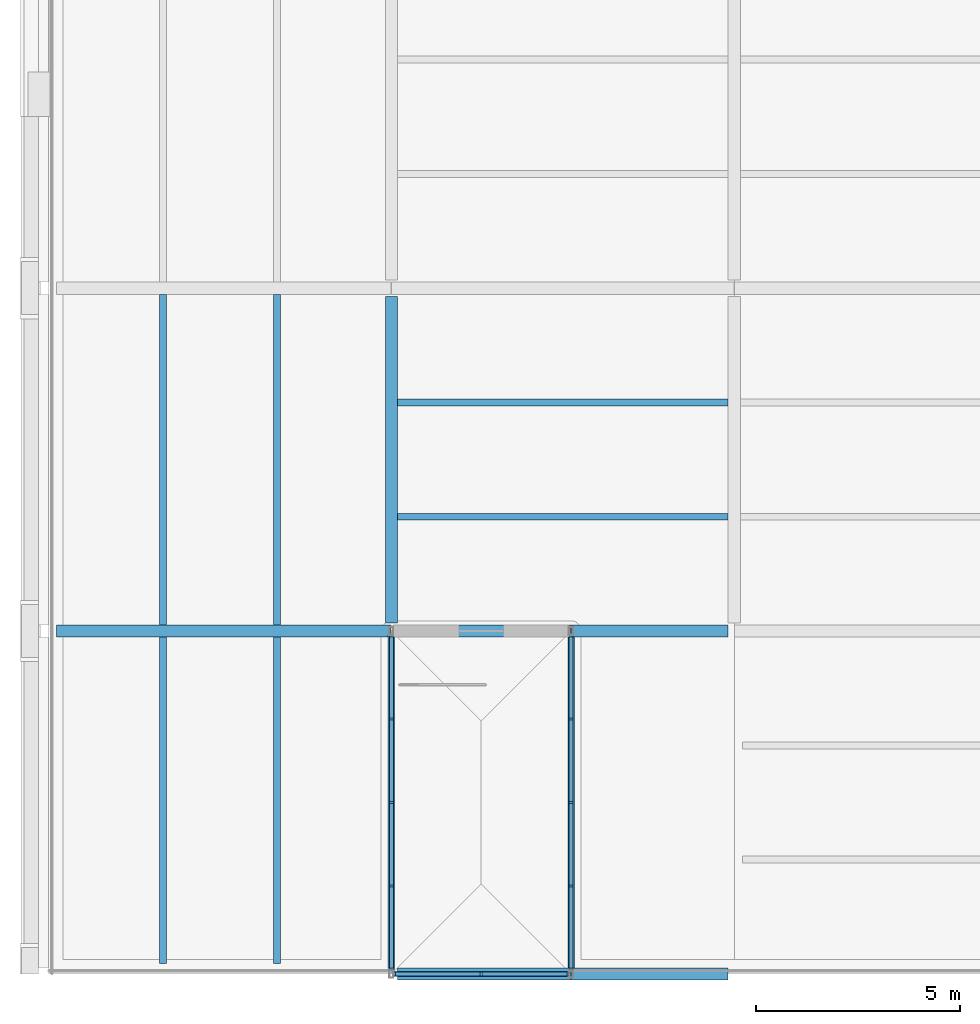
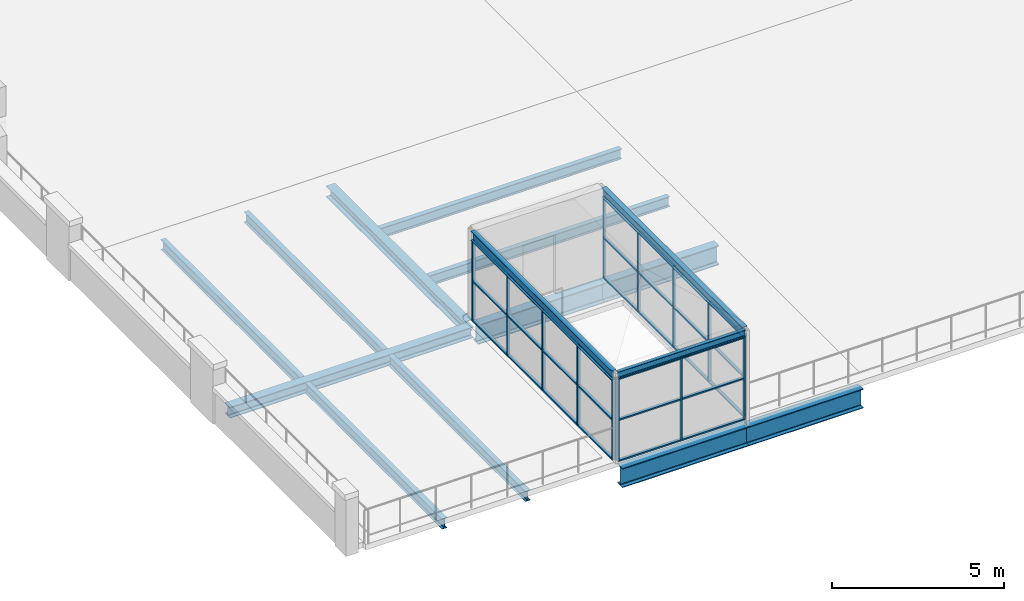
# One storey, part 11 of 58: 43 members, 15 beams, 3 elements without a shape of their own.
"""IFC4 building model written with IfcOpenShell, lengths in metres."""

from ifc_helpers import new_model, si_unit, direction, frame, origin, origin_2d, place, context, subcontext, project, spatial, rectangle, i_section, extrude, material, layer, layer_set, material_profile, profile_set, type_object, element, aggregate, save


model = new_model("IFC4")

# Units and contexts
model_context = context("Model", 3, precision=1e-05, world=origin(), true_north=direction((0.0, 1.0)))
body_context = subcontext(model_context, "Body", "Model", "MODEL_VIEW")
ifc_project = project(units=[si_unit("LENGTHUNIT", "METRE"), si_unit("AREAUNIT", "SQUARE_METRE"), si_unit("VOLUMEUNIT", "CUBIC_METRE"), si_unit("PLANEANGLEUNIT", "RADIAN"), si_unit("MASSUNIT", "GRAM", prefix="KILO")], contexts=[model_context])

# Site, building, storey
site_placement = place(None, origin())
site = spatial("IfcSite", under=ifc_project, at=site_placement, CompositionType="ELEMENT")
building_placement = place(site_placement, origin())
building = spatial("IfcBuilding", under=site, at=building_placement, Name="Galleria Vessillo Department Store", CompositionType="ELEMENT")
storey_placement = place(building_placement, frame((0.0, 0.0, 31.199951171875)))
storey = spatial("IfcBuildingStorey", under=building, at=storey_placement, Name="L06", CompositionType="ELEMENT", Elevation=31.199951171875)

# Curtain wall, members
ifc_material_1 = material(Name="Aluminium and glass curtain wall", Category="aluminium")
ifc_layer = layer(ifc_material_1, 0.10009765625)
ifc_layer_set = layer_set([ifc_layer], Name="Aluminium and glass curtain wall")
curtain_wall_type = type_object("IfcCurtainWallType", Name="Pavilion curtain wall CW5 2100 module", PredefinedType="NOTDEFINED", material=ifc_layer_set)
curtain_wall_1_placement = place(storey_placement, origin())
curtain_wall_1 = element("IfcCurtainWall", 1, at=curtain_wall_1_placement, inside=storey, type_object=curtain_wall_type, Name="Pavilion curtain wall CW5 2100 module PV-ST1-A", PredefinedType="NOTDEFINED")
ifc_material_2 = material(Name="Aluminium alloy 6063 T6", Category="aluminium")
ifc_material_profile_1 = material_profile(ifc_material_2, rectangle(XDim=0.10009765625, YDim=0.050048828125, at=origin_2d()), Name="AL 50x100")
ifc_profile_set_1 = profile_set([ifc_material_profile_1], Name="Aluminium alloy 6063 T6")
member_type_1 = type_object("IfcMemberType", Name="Aluminium mullion 50 x 100", PredefinedType="MULLION", material=ifc_profile_set_1)
member_1_placement = place(storey_placement, frame((8.39990234375, 0.125, 0.0), z_axis=(0.0, 0.0, 1.0), x_axis=(-1.0, 0.0, 0.0)))
member_1 = element("IfcMember", 2, at=member_1_placement, type_object=member_type_1, Name="CW5 mullion 1", PredefinedType="MULLION", context=body_context, shape_type="SweptSolid", body=[
    extrude(rectangle(XDim=0.10009765625, YDim=0.050048828125, at=origin_2d()), origin(), (0.0, 0.0, 1.0), 2.8701171875),
])
member_2_placement = place(storey_placement, frame((8.39990234375, 2.14990234375, 0.0), z_axis=(0.0, 0.0, 1.0), x_axis=(-1.0, 0.0, 0.0)))
member_2 = element("IfcMember", 3, at=member_2_placement, type_object=member_type_1, Name="CW5 mullion 2", PredefinedType="MULLION", context=body_context, shape_type="SweptSolid", body=[
    extrude(rectangle(XDim=0.10009765625, YDim=0.050048828125, at=origin_2d()), origin(), (0.0, 0.0, 1.0), 2.8701171875),
])
member_3_placement = place(storey_placement, frame((8.39990234375, 4.199951171875, 0.0), z_axis=(0.0, 0.0, 1.0), x_axis=(-1.0, 0.0, 0.0)))
member_3 = element("IfcMember", 4, at=member_3_placement, type_object=member_type_1, Name="CW5 mullion 3", PredefinedType="MULLION", context=body_context, shape_type="SweptSolid", body=[
    extrude(rectangle(XDim=0.10009765625, YDim=0.050048828125, at=origin_2d()), origin(), (0.0, 0.0, 1.0), 2.8701171875),
])
member_4_placement = place(storey_placement, frame((8.39990234375, 6.25, 0.0), z_axis=(0.0, 0.0, 1.0), x_axis=(-1.0, 0.0, 0.0)))
member_4 = element("IfcMember", 5, at=member_4_placement, type_object=member_type_1, Name="CW5 mullion 4", PredefinedType="MULLION", context=body_context, shape_type="SweptSolid", body=[
    extrude(rectangle(XDim=0.10009765625, YDim=0.050048828125, at=origin_2d()), origin(), (0.0, 0.0, 1.0), 2.8701171875),
])
member_5_placement = place(storey_placement, frame((8.39990234375, 8.27490234375, 0.0), z_axis=(0.0, 0.0, 1.0), x_axis=(-1.0, 0.0, 0.0)))
member_5 = element("IfcMember", 6, at=member_5_placement, type_object=member_type_1, Name="CW5 mullion 5", PredefinedType="MULLION", context=body_context, shape_type="SweptSolid", body=[
    extrude(rectangle(XDim=0.10009765625, YDim=0.050048828125, at=origin_2d()), origin(), (0.0, 0.0, 1.0), 2.8701171875),
])

curtain_wall_2_placement = place(storey_placement, origin())
curtain_wall_2 = element("IfcCurtainWall", 7, at=curtain_wall_2_placement, inside=storey, type_object=curtain_wall_type, Name="Pavilion curtain wall CW5 2100 module PV-ST1-B", PredefinedType="NOTDEFINED")
member_6_placement = place(storey_placement, frame((12.800048828125, 0.125, 0.0), z_axis=(0.0, 0.0, 1.0), x_axis=(-1.0, 0.0, 0.0)))
member_6 = element("IfcMember", 8, at=member_6_placement, type_object=member_type_1, Name="CW5 mullion 1", PredefinedType="MULLION", context=body_context, shape_type="SweptSolid", body=[
    extrude(rectangle(XDim=0.10009765625, YDim=0.050048828125, at=origin_2d()), origin(), (0.0, 0.0, 1.0), 2.8701171875),
])
member_7_placement = place(storey_placement, frame((12.800048828125, 2.14990234375, 0.0), z_axis=(0.0, 0.0, 1.0), x_axis=(-1.0, 0.0, 0.0)))
member_7 = element("IfcMember", 9, at=member_7_placement, type_object=member_type_1, Name="CW5 mullion 2", PredefinedType="MULLION", context=body_context, shape_type="SweptSolid", body=[
    extrude(rectangle(XDim=0.10009765625, YDim=0.050048828125, at=origin_2d()), origin(), (0.0, 0.0, 1.0), 2.8701171875),
])
member_8_placement = place(storey_placement, frame((12.800048828125, 4.199951171875, 0.0), z_axis=(0.0, 0.0, 1.0), x_axis=(-1.0, 0.0, 0.0)))
member_8 = element("IfcMember", 10, at=member_8_placement, type_object=member_type_1, Name="CW5 mullion 3", PredefinedType="MULLION", context=body_context, shape_type="SweptSolid", body=[
    extrude(rectangle(XDim=0.10009765625, YDim=0.050048828125, at=origin_2d()), origin(), (0.0, 0.0, 1.0), 2.8701171875),
])
member_9_placement = place(storey_placement, frame((12.800048828125, 6.25, 0.0), z_axis=(0.0, 0.0, 1.0), x_axis=(-1.0, 0.0, 0.0)))
member_9 = element("IfcMember", 11, at=member_9_placement, type_object=member_type_1, Name="CW5 mullion 4", PredefinedType="MULLION", context=body_context, shape_type="SweptSolid", body=[
    extrude(rectangle(XDim=0.10009765625, YDim=0.050048828125, at=origin_2d()), origin(), (0.0, 0.0, 1.0), 2.8701171875),
])
member_10_placement = place(storey_placement, frame((12.800048828125, 8.27490234375, 0.0), z_axis=(0.0, 0.0, 1.0), x_axis=(-1.0, 0.0, 0.0)))
member_10 = element("IfcMember", 12, at=member_10_placement, type_object=member_type_1, Name="CW5 mullion 5", PredefinedType="MULLION", context=body_context, shape_type="SweptSolid", body=[
    extrude(rectangle(XDim=0.10009765625, YDim=0.050048828125, at=origin_2d()), origin(), (0.0, 0.0, 1.0), 2.8701171875),
])

curtain_wall_3_placement = place(storey_placement, origin())
curtain_wall_3 = element("IfcCurtainWall", 13, at=curtain_wall_3_placement, inside=storey, type_object=curtain_wall_type, Name="Pavilion curtain wall CW5 2100 module PV-ST1-F", PredefinedType="NOTDEFINED")
member_11_placement = place(storey_placement, frame((8.474853515625, 0.0, 0.0), z_axis=(0.0, 0.0, 1.0), x_axis=(0.0, 1.0, 0.0)))
member_11 = element("IfcMember", 14, at=member_11_placement, type_object=member_type_1, Name="CW5 mullion 1", PredefinedType="MULLION", context=body_context, shape_type="SweptSolid", body=[
    extrude(rectangle(XDim=0.10009765625, YDim=0.050048828125, at=origin_2d()), origin(), (0.0, 0.0, 1.0), 2.960205078125),
])
member_12_placement = place(storey_placement, frame((10.60009765625, 0.0, 0.0), z_axis=(0.0, 0.0, 1.0), x_axis=(0.0, 1.0, 0.0)))
member_12 = element("IfcMember", 15, at=member_12_placement, type_object=member_type_1, Name="CW5 mullion 2", PredefinedType="MULLION", context=body_context, shape_type="SweptSolid", body=[
    extrude(rectangle(XDim=0.10009765625, YDim=0.050048828125, at=origin_2d()), origin(), (0.0, 0.0, 1.0), 2.960205078125),
])
member_13_placement = place(storey_placement, frame((12.72509765625, 0.0, 0.0), z_axis=(0.0, 0.0, 1.0), x_axis=(0.0, 1.0, 0.0)))
member_13 = element("IfcMember", 16, at=member_13_placement, type_object=member_type_1, Name="CW5 mullion 3", PredefinedType="MULLION", context=body_context, shape_type="SweptSolid", body=[
    extrude(rectangle(XDim=0.10009765625, YDim=0.050048828125, at=origin_2d()), origin(), (0.0, 0.0, 1.0), 2.960205078125),
])

# Member
ifc_material_3 = material(Name="Aluminium alloy 6063 T6", Category="aluminium")
ifc_material_profile_2 = material_profile(ifc_material_3, rectangle(XDim=0.10009765625, YDim=0.050048828125, at=origin_2d()), Name="AL 50x100")
ifc_profile_set_2 = profile_set([ifc_material_profile_2], Name="Aluminium alloy 6063 T6")
member_type_2 = type_object("IfcMemberType", Name="Aluminium transom 50 x 100", PredefinedType="USERDEFINED", material=ifc_profile_set_2)
member_14_placement = place(storey_placement, frame((8.39990234375, 0.14990234375, 0.025146484375), z_axis=(0.0, 1.0, 0.0), x_axis=(-1.0, 0.0, 0.0)))
member_14 = element("IfcMember", 17, at=member_14_placement, type_object=member_type_2, Name="CW5 transom 1.1", ObjectType="TRANSOM", PredefinedType="USERDEFINED", context=body_context, shape_type="SweptSolid", body=[
    extrude(rectangle(XDim=0.10009765625, YDim=0.050048828125, at=origin_2d()), origin(), (0.0, 0.0, 1.0), 1.97509765625),
])

member_15_placement = place(storey_placement, frame((8.39990234375, 0.14990234375, 1.43505859375), z_axis=(0.0, 1.0, 0.0), x_axis=(-1.0, 0.0, 0.0)))
member_15 = element("IfcMember", 18, at=member_15_placement, type_object=member_type_2, Name="CW5 transom 1.2", ObjectType="TRANSOM", PredefinedType="USERDEFINED", context=body_context, shape_type="SweptSolid", body=[
    extrude(rectangle(XDim=0.10009765625, YDim=0.050048828125, at=origin_2d()), origin(), (0.0, 0.0, 1.0), 1.97509765625),
])

member_16_placement = place(storey_placement, frame((8.39990234375, 0.14990234375, 2.84521484375), z_axis=(0.0, 1.0, 0.0), x_axis=(-1.0, 0.0, 0.0)))
member_16 = element("IfcMember", 19, at=member_16_placement, type_object=member_type_2, Name="CW5 transom 1.3", ObjectType="TRANSOM", PredefinedType="USERDEFINED", context=body_context, shape_type="SweptSolid", body=[
    extrude(rectangle(XDim=0.10009765625, YDim=0.050048828125, at=origin_2d()), origin(), (0.0, 0.0, 1.0), 1.97509765625),
])

member_17_placement = place(storey_placement, frame((8.39990234375, 2.175048828125, 0.025146484375), z_axis=(0.0, 1.0, 0.0), x_axis=(-1.0, 0.0, 0.0)))
member_17 = element("IfcMember", 20, at=member_17_placement, type_object=member_type_2, Name="CW5 transom 2.1", ObjectType="TRANSOM", PredefinedType="USERDEFINED", context=body_context, shape_type="SweptSolid", body=[
    extrude(rectangle(XDim=0.10009765625, YDim=0.050048828125, at=origin_2d()), origin(), (0.0, 0.0, 1.0), 2.0),
])

member_18_placement = place(storey_placement, frame((8.39990234375, 2.175048828125, 1.43505859375), z_axis=(0.0, 1.0, 0.0), x_axis=(-1.0, 0.0, 0.0)))
member_18 = element("IfcMember", 21, at=member_18_placement, type_object=member_type_2, Name="CW5 transom 2.2", ObjectType="TRANSOM", PredefinedType="USERDEFINED", context=body_context, shape_type="SweptSolid", body=[
    extrude(rectangle(XDim=0.10009765625, YDim=0.050048828125, at=origin_2d()), origin(), (0.0, 0.0, 1.0), 2.0),
])

member_19_placement = place(storey_placement, frame((8.39990234375, 2.175048828125, 2.84521484375), z_axis=(0.0, 1.0, 0.0), x_axis=(-1.0, 0.0, 0.0)))
member_19 = element("IfcMember", 22, at=member_19_placement, type_object=member_type_2, Name="CW5 transom 2.3", ObjectType="TRANSOM", PredefinedType="USERDEFINED", context=body_context, shape_type="SweptSolid", body=[
    extrude(rectangle(XDim=0.10009765625, YDim=0.050048828125, at=origin_2d()), origin(), (0.0, 0.0, 1.0), 2.0),
])

member_20_placement = place(storey_placement, frame((8.39990234375, 4.224853515625, 0.025146484375), z_axis=(0.0, 1.0, 0.0), x_axis=(-1.0, 0.0, 0.0)))
member_20 = element("IfcMember", 23, at=member_20_placement, type_object=member_type_2, Name="CW5 transom 3.1", ObjectType="TRANSOM", PredefinedType="USERDEFINED", context=body_context, shape_type="SweptSolid", body=[
    extrude(rectangle(XDim=0.10009765625, YDim=0.050048828125, at=origin_2d()), origin(), (0.0, 0.0, 1.0), 2.0),
])

member_21_placement = place(storey_placement, frame((8.39990234375, 4.224853515625, 1.43505859375), z_axis=(0.0, 1.0, 0.0), x_axis=(-1.0, 0.0, 0.0)))
member_21 = element("IfcMember", 24, at=member_21_placement, type_object=member_type_2, Name="CW5 transom 3.2", ObjectType="TRANSOM", PredefinedType="USERDEFINED", context=body_context, shape_type="SweptSolid", body=[
    extrude(rectangle(XDim=0.10009765625, YDim=0.050048828125, at=origin_2d()), origin(), (0.0, 0.0, 1.0), 2.0),
])

member_22_placement = place(storey_placement, frame((8.39990234375, 4.224853515625, 2.84521484375), z_axis=(0.0, 1.0, 0.0), x_axis=(-1.0, 0.0, 0.0)))
member_22 = element("IfcMember", 25, at=member_22_placement, type_object=member_type_2, Name="CW5 transom 3.3", ObjectType="TRANSOM", PredefinedType="USERDEFINED", context=body_context, shape_type="SweptSolid", body=[
    extrude(rectangle(XDim=0.10009765625, YDim=0.050048828125, at=origin_2d()), origin(), (0.0, 0.0, 1.0), 2.0),
])

member_23_placement = place(storey_placement, frame((8.39990234375, 6.27490234375, 0.025146484375), z_axis=(0.0, 1.0, 0.0), x_axis=(-1.0, 0.0, 0.0)))
member_23 = element("IfcMember", 26, at=member_23_placement, type_object=member_type_2, Name="CW5 transom 4.1", ObjectType="TRANSOM", PredefinedType="USERDEFINED", context=body_context, shape_type="SweptSolid", body=[
    extrude(rectangle(XDim=0.10009765625, YDim=0.050048828125, at=origin_2d()), origin(), (0.0, 0.0, 1.0), 1.97509765625),
])

member_24_placement = place(storey_placement, frame((8.39990234375, 6.27490234375, 1.43505859375), z_axis=(0.0, 1.0, 0.0), x_axis=(-1.0, 0.0, 0.0)))
member_24 = element("IfcMember", 27, at=member_24_placement, type_object=member_type_2, Name="CW5 transom 4.2", ObjectType="TRANSOM", PredefinedType="USERDEFINED", context=body_context, shape_type="SweptSolid", body=[
    extrude(rectangle(XDim=0.10009765625, YDim=0.050048828125, at=origin_2d()), origin(), (0.0, 0.0, 1.0), 1.97509765625),
])

member_25_placement = place(storey_placement, frame((8.39990234375, 6.27490234375, 2.84521484375), z_axis=(0.0, 1.0, 0.0), x_axis=(-1.0, 0.0, 0.0)))
member_25 = element("IfcMember", 28, at=member_25_placement, type_object=member_type_2, Name="CW5 transom 4.3", ObjectType="TRANSOM", PredefinedType="USERDEFINED", context=body_context, shape_type="SweptSolid", body=[
    extrude(rectangle(XDim=0.10009765625, YDim=0.050048828125, at=origin_2d()), origin(), (0.0, 0.0, 1.0), 1.97509765625),
])

aggregate(curtain_wall_1, [member_1, member_2, member_3, member_4, member_5, member_14, member_15, member_16, member_17, member_18, member_19, member_20, member_21, member_22, member_23, member_24, member_25])

member_26_placement = place(storey_placement, frame((12.800048828125, 0.14990234375, 0.025146484375), z_axis=(0.0, 1.0, 0.0), x_axis=(-1.0, 0.0, 0.0)))
member_26 = element("IfcMember", 29, at=member_26_placement, type_object=member_type_2, Name="CW5 transom 1.1", ObjectType="TRANSOM", PredefinedType="USERDEFINED", context=body_context, shape_type="SweptSolid", body=[
    extrude(rectangle(XDim=0.10009765625, YDim=0.050048828125, at=origin_2d()), origin(), (0.0, 0.0, 1.0), 1.97509765625),
])

member_27_placement = place(storey_placement, frame((12.800048828125, 0.14990234375, 1.43505859375), z_axis=(0.0, 1.0, 0.0), x_axis=(-1.0, 0.0, 0.0)))
member_27 = element("IfcMember", 30, at=member_27_placement, type_object=member_type_2, Name="CW5 transom 1.2", ObjectType="TRANSOM", PredefinedType="USERDEFINED", context=body_context, shape_type="SweptSolid", body=[
    extrude(rectangle(XDim=0.10009765625, YDim=0.050048828125, at=origin_2d()), origin(), (0.0, 0.0, 1.0), 1.97509765625),
])

member_28_placement = place(storey_placement, frame((12.800048828125, 0.14990234375, 2.84521484375), z_axis=(0.0, 1.0, 0.0), x_axis=(-1.0, 0.0, 0.0)))
member_28 = element("IfcMember", 31, at=member_28_placement, type_object=member_type_2, Name="CW5 transom 1.3", ObjectType="TRANSOM", PredefinedType="USERDEFINED", context=body_context, shape_type="SweptSolid", body=[
    extrude(rectangle(XDim=0.10009765625, YDim=0.050048828125, at=origin_2d()), origin(), (0.0, 0.0, 1.0), 1.97509765625),
])

member_29_placement = place(storey_placement, frame((12.800048828125, 2.175048828125, 0.025146484375), z_axis=(0.0, 1.0, 0.0), x_axis=(-1.0, 0.0, 0.0)))
member_29 = element("IfcMember", 32, at=member_29_placement, type_object=member_type_2, Name="CW5 transom 2.1", ObjectType="TRANSOM", PredefinedType="USERDEFINED", context=body_context, shape_type="SweptSolid", body=[
    extrude(rectangle(XDim=0.10009765625, YDim=0.050048828125, at=origin_2d()), origin(), (0.0, 0.0, 1.0), 2.0),
])

member_30_placement = place(storey_placement, frame((12.800048828125, 2.175048828125, 1.43505859375), z_axis=(0.0, 1.0, 0.0), x_axis=(-1.0, 0.0, 0.0)))
member_30 = element("IfcMember", 33, at=member_30_placement, type_object=member_type_2, Name="CW5 transom 2.2", ObjectType="TRANSOM", PredefinedType="USERDEFINED", context=body_context, shape_type="SweptSolid", body=[
    extrude(rectangle(XDim=0.10009765625, YDim=0.050048828125, at=origin_2d()), origin(), (0.0, 0.0, 1.0), 2.0),
])

member_31_placement = place(storey_placement, frame((12.800048828125, 2.175048828125, 2.84521484375), z_axis=(0.0, 1.0, 0.0), x_axis=(-1.0, 0.0, 0.0)))
member_31 = element("IfcMember", 34, at=member_31_placement, type_object=member_type_2, Name="CW5 transom 2.3", ObjectType="TRANSOM", PredefinedType="USERDEFINED", context=body_context, shape_type="SweptSolid", body=[
    extrude(rectangle(XDim=0.10009765625, YDim=0.050048828125, at=origin_2d()), origin(), (0.0, 0.0, 1.0), 2.0),
])

member_32_placement = place(storey_placement, frame((12.800048828125, 4.224853515625, 0.025146484375), z_axis=(0.0, 1.0, 0.0), x_axis=(-1.0, 0.0, 0.0)))
member_32 = element("IfcMember", 35, at=member_32_placement, type_object=member_type_2, Name="CW5 transom 3.1", ObjectType="TRANSOM", PredefinedType="USERDEFINED", context=body_context, shape_type="SweptSolid", body=[
    extrude(rectangle(XDim=0.10009765625, YDim=0.050048828125, at=origin_2d()), origin(), (0.0, 0.0, 1.0), 2.0),
])

member_33_placement = place(storey_placement, frame((12.800048828125, 4.224853515625, 1.43505859375), z_axis=(0.0, 1.0, 0.0), x_axis=(-1.0, 0.0, 0.0)))
member_33 = element("IfcMember", 36, at=member_33_placement, type_object=member_type_2, Name="CW5 transom 3.2", ObjectType="TRANSOM", PredefinedType="USERDEFINED", context=body_context, shape_type="SweptSolid", body=[
    extrude(rectangle(XDim=0.10009765625, YDim=0.050048828125, at=origin_2d()), origin(), (0.0, 0.0, 1.0), 2.0),
])

member_34_placement = place(storey_placement, frame((12.800048828125, 4.224853515625, 2.84521484375), z_axis=(0.0, 1.0, 0.0), x_axis=(-1.0, 0.0, 0.0)))
member_34 = element("IfcMember", 37, at=member_34_placement, type_object=member_type_2, Name="CW5 transom 3.3", ObjectType="TRANSOM", PredefinedType="USERDEFINED", context=body_context, shape_type="SweptSolid", body=[
    extrude(rectangle(XDim=0.10009765625, YDim=0.050048828125, at=origin_2d()), origin(), (0.0, 0.0, 1.0), 2.0),
])

member_35_placement = place(storey_placement, frame((12.800048828125, 6.27490234375, 0.025146484375), z_axis=(0.0, 1.0, 0.0), x_axis=(-1.0, 0.0, 0.0)))
member_35 = element("IfcMember", 38, at=member_35_placement, type_object=member_type_2, Name="CW5 transom 4.1", ObjectType="TRANSOM", PredefinedType="USERDEFINED", context=body_context, shape_type="SweptSolid", body=[
    extrude(rectangle(XDim=0.10009765625, YDim=0.050048828125, at=origin_2d()), origin(), (0.0, 0.0, 1.0), 1.97509765625),
])

member_36_placement = place(storey_placement, frame((12.800048828125, 6.27490234375, 1.43505859375), z_axis=(0.0, 1.0, 0.0), x_axis=(-1.0, 0.0, 0.0)))
member_36 = element("IfcMember", 39, at=member_36_placement, type_object=member_type_2, Name="CW5 transom 4.2", ObjectType="TRANSOM", PredefinedType="USERDEFINED", context=body_context, shape_type="SweptSolid", body=[
    extrude(rectangle(XDim=0.10009765625, YDim=0.050048828125, at=origin_2d()), origin(), (0.0, 0.0, 1.0), 1.97509765625),
])

member_37_placement = place(storey_placement, frame((12.800048828125, 6.27490234375, 2.84521484375), z_axis=(0.0, 1.0, 0.0), x_axis=(-1.0, 0.0, 0.0)))
member_37 = element("IfcMember", 40, at=member_37_placement, type_object=member_type_2, Name="CW5 transom 4.3", ObjectType="TRANSOM", PredefinedType="USERDEFINED", context=body_context, shape_type="SweptSolid", body=[
    extrude(rectangle(XDim=0.10009765625, YDim=0.050048828125, at=origin_2d()), origin(), (0.0, 0.0, 1.0), 1.97509765625),
])

aggregate(curtain_wall_2, [member_6, member_7, member_8, member_9, member_10, member_26, member_27, member_28, member_29, member_30, member_31, member_32, member_33, member_34, member_35, member_36, member_37])

member_38_placement = place(storey_placement, frame((8.5, 0.0, 0.025146484375), z_axis=(1.0, 0.0, 0.0), x_axis=(0.0, 1.0, 0.0)))
member_38 = element("IfcMember", 41, at=member_38_placement, type_object=member_type_2, Name="CW5 transom 1.1", ObjectType="TRANSOM", PredefinedType="USERDEFINED", context=body_context, shape_type="SweptSolid", body=[
    extrude(rectangle(XDim=0.10009765625, YDim=0.050048828125, at=origin_2d()), origin(), (0.0, 0.0, 1.0), 2.074951171875),
])

member_39_placement = place(storey_placement, frame((8.5, 0.0, 1.480224609375), z_axis=(1.0, 0.0, 0.0), x_axis=(0.0, 1.0, 0.0)))
member_39 = element("IfcMember", 42, at=member_39_placement, type_object=member_type_2, Name="CW5 transom 1.2", ObjectType="TRANSOM", PredefinedType="USERDEFINED", context=body_context, shape_type="SweptSolid", body=[
    extrude(rectangle(XDim=0.10009765625, YDim=0.050048828125, at=origin_2d()), origin(), (0.0, 0.0, 1.0), 2.074951171875),
])

member_40_placement = place(storey_placement, frame((8.5, 0.0, 2.935302734375), z_axis=(1.0, 0.0, 0.0), x_axis=(0.0, 1.0, 0.0)))
member_40 = element("IfcMember", 43, at=member_40_placement, type_object=member_type_2, Name="CW5 transom 1.3", ObjectType="TRANSOM", PredefinedType="USERDEFINED", context=body_context, shape_type="SweptSolid", body=[
    extrude(rectangle(XDim=0.10009765625, YDim=0.050048828125, at=origin_2d()), origin(), (0.0, 0.0, 1.0), 2.074951171875),
])

member_41_placement = place(storey_placement, frame((10.625, 0.0, 0.025146484375), z_axis=(1.0, 0.0, 0.0), x_axis=(0.0, 1.0, 0.0)))
member_41 = element("IfcMember", 44, at=member_41_placement, type_object=member_type_2, Name="CW5 transom 2.1", ObjectType="TRANSOM", PredefinedType="USERDEFINED", context=body_context, shape_type="SweptSolid", body=[
    extrude(rectangle(XDim=0.10009765625, YDim=0.050048828125, at=origin_2d()), origin(), (0.0, 0.0, 1.0), 2.074951171875),
])

member_42_placement = place(storey_placement, frame((10.625, 0.0, 1.480224609375), z_axis=(1.0, 0.0, 0.0), x_axis=(0.0, 1.0, 0.0)))
member_42 = element("IfcMember", 45, at=member_42_placement, type_object=member_type_2, Name="CW5 transom 2.2", ObjectType="TRANSOM", PredefinedType="USERDEFINED", context=body_context, shape_type="SweptSolid", body=[
    extrude(rectangle(XDim=0.10009765625, YDim=0.050048828125, at=origin_2d()), origin(), (0.0, 0.0, 1.0), 2.074951171875),
])

member_43_placement = place(storey_placement, frame((10.625, 0.0, 2.935302734375), z_axis=(1.0, 0.0, 0.0), x_axis=(0.0, 1.0, 0.0)))
member_43 = element("IfcMember", 46, at=member_43_placement, type_object=member_type_2, Name="CW5 transom 2.3", ObjectType="TRANSOM", PredefinedType="USERDEFINED", context=body_context, shape_type="SweptSolid", body=[
    extrude(rectangle(XDim=0.10009765625, YDim=0.050048828125, at=origin_2d()), origin(), (0.0, 0.0, 1.0), 2.074951171875),
])

aggregate(curtain_wall_3, [member_11, member_12, member_13, member_38, member_39, member_40, member_41, member_42, member_43])

# Beams
ifc_material_4 = material(Name="Steel S355 J2", Category="steel")
ifc_material_profile_3 = material_profile(ifc_material_4, i_section(OverallWidth=0.300048828125, OverallDepth=0.389892578125, WebThickness=0.010986328125, FlangeThickness=0.01904296875, FilletRadius=0.027099609375, at=origin_2d()), Name="HEA 400")
ifc_profile_set_3 = profile_set([ifc_material_profile_3], Name="Steel S355 J2")
beam_type_1 = type_object("IfcBeamType", Name="Floor girder HEA 400", PredefinedType="BEAM", material=ifc_profile_set_3)
beam_1_placement = place(storey_placement, frame((0.2001953125, 8.39990234375, -0.39501953125), z_axis=(1.0, 0.0, 0.0), x_axis=(0.0, 1.0, 0.0)))
element("IfcBeam", 47, at=beam_1_placement, inside=storey, type_object=beam_type_1, Name="S-BM-L06-GI-x8400-200", PredefinedType="BEAM", context=body_context, shape_type="SweptSolid", body=[
    extrude(i_section(OverallWidth=0.300048828125, OverallDepth=0.389892578125, WebThickness=0.010986328125, FlangeThickness=0.01904296875, FilletRadius=0.027099609375, at=origin_2d()), origin(), (0.0, 0.0, 1.0), 8.19287109375),
])
beam_2_placement = place(storey_placement, frame((8.39990234375, 8.60009765625, -0.39501953125), z_axis=(0.0, 1.0, 0.0), x_axis=(-1.0, 0.0, 0.0)))
element("IfcBeam", 48, at=beam_2_placement, inside=storey, type_object=beam_type_1, Name="S-BM-L06-GI-y8400-8600", PredefinedType="BEAM", context=body_context, shape_type="SweptSolid", body=[
    extrude(i_section(OverallWidth=0.300048828125, OverallDepth=0.389892578125, WebThickness=0.010986328125, FlangeThickness=0.01904296875, FilletRadius=0.027099609375, at=origin_2d()), origin(), (0.0, 0.0, 1.0), 7.999755859375),
])
ifc_material_5 = material(Name="Steel S355 J2", Category="steel")
ifc_material_profile_4 = material_profile(ifc_material_5, i_section(OverallWidth=0.169921875, OverallDepth=0.360107421875, WebThickness=0.008056640625, FlangeThickness=0.0126953125, FilletRadius=0.01806640625, at=origin_2d()), Name="IPE 360")
ifc_profile_set_4 = profile_set([ifc_material_profile_4], Name="Steel S355 J2")
beam_type_2 = type_object("IfcBeamType", Name="Floor joist IPE 360", PredefinedType="JOIST", material=ifc_profile_set_4)
for number, where, z_axis, x_axis, name in (
    (49, (2.800048828125, 0.250244140625, -0.3798828125), (0.0, 1.0, 0.0), (-1.0, 0.0, 0.0), "S-BM-L06-JO-y2800-250"),
    (50, (5.60009765625, 0.250244140625, -0.3798828125), (0.0, 1.0, 0.0), (-1.0, 0.0, 0.0), "S-BM-L06-JO-y5600-250"),
):
    element("IfcBeam", number, at=place(storey_placement, frame(where, z_axis=z_axis, x_axis=x_axis)), inside=storey, type_object=beam_type_2, Name=name, PredefinedType="JOIST", context=body_context, shape_type="SweptSolid", body=[
        extrude(i_section(OverallWidth=0.169921875, OverallDepth=0.360107421875, WebThickness=0.008056640625, FlangeThickness=0.0126953125, FilletRadius=0.01806640625, at=origin_2d()), origin(), (0.0, 0.0, 1.0), 7.99951171875),
    ])
for number, where, z_axis, x_axis, name in (
    (51, (2.800048828125, 8.550048828125, -0.3798828125), (0.0, 1.0, 0.0), (-1.0, 0.0, 0.0), "S-BM-L06-JO-y2800-8550"),
    (52, (5.60009765625, 8.550048828125, -0.3798828125), (0.0, 1.0, 0.0), (-1.0, 0.0, 0.0), "S-BM-L06-JO-y5600-8550"),
    (53, (8.550048828125, 11.199951171875, -0.3798828125), (1.0, 0.0, 0.0), (0.0, 1.0, 0.0), "S-BM-L06-JO-x11200-8550"),
    (54, (8.550048828125, 14.0, -0.3798828125), (1.0, 0.0, 0.0), (0.0, 1.0, 0.0), "S-BM-L06-JO-x14000-8550"),
):
    element("IfcBeam", number, at=place(storey_placement, frame(where, z_axis=z_axis, x_axis=x_axis)), inside=storey, type_object=beam_type_2, Name=name, PredefinedType="JOIST", context=body_context, shape_type="SweptSolid", body=[
        extrude(i_section(OverallWidth=0.169921875, OverallDepth=0.360107421875, WebThickness=0.008056640625, FlangeThickness=0.0126953125, FilletRadius=0.01806640625, at=origin_2d()), origin(), (0.0, 0.0, 1.0), 8.099853515625),
    ])
ifc_material_6 = material(Name="Steel S355 J2", Category="steel")
ifc_material_profile_5 = material_profile(ifc_material_6, i_section(OverallWidth=0.300048828125, OverallDepth=0.68994140625, WebThickness=0.014404296875, FlangeThickness=0.027099609375, FilletRadius=0.027099609375, at=origin_2d()), Name="HEA 700")
ifc_profile_set_5 = profile_set([ifc_material_profile_5], Name="Steel S355 J2")
beam_type_3 = type_object("IfcBeamType", Name="Pavilion base beam HEA 700", PredefinedType="BEAM", material=ifc_profile_set_5)
beam_3_placement = place(storey_placement, frame((8.550048828125, 0.0, -0.544921875), z_axis=(1.0, 0.0, 0.0), x_axis=(0.0, 1.0, 0.0)))
element("IfcBeam", 55, at=beam_3_placement, inside=storey, type_object=beam_type_3, Name="S-BB-ST1-PE1", PredefinedType="BEAM", context=body_context, shape_type="SweptSolid", body=[
    extrude(i_section(OverallWidth=0.300048828125, OverallDepth=0.68994140625, WebThickness=0.014404296875, FlangeThickness=0.027099609375, FilletRadius=0.027099609375, at=origin_2d()), origin(), (0.0, 0.0, 1.0), 4.249755859375),
])
beam_4_placement = place(storey_placement, frame((12.80029296875, 0.0, -0.544921875), z_axis=(1.0, 0.0, 0.0), x_axis=(0.0, 1.0, 0.0)))
element("IfcBeam", 56, at=beam_4_placement, inside=storey, type_object=beam_type_3, Name="S-BB-ST1-PE2", PredefinedType="BEAM", context=body_context, shape_type="SweptSolid", body=[
    extrude(i_section(OverallWidth=0.300048828125, OverallDepth=0.68994140625, WebThickness=0.014404296875, FlangeThickness=0.027099609375, FilletRadius=0.027099609375, at=origin_2d()), origin(), (0.0, 0.0, 1.0), 3.849609375),
])
beam_5_placement = place(storey_placement, frame((8.550048828125, 8.39990234375, -0.544921875), z_axis=(1.0, 0.0, 0.0), x_axis=(0.0, 1.0, 0.0)))
element("IfcBeam", 57, at=beam_5_placement, inside=storey, type_object=beam_type_3, Name="S-BB-ST1-DE1", PredefinedType="BEAM", context=body_context, shape_type="SweptSolid", body=[
    extrude(i_section(OverallWidth=0.300048828125, OverallDepth=0.68994140625, WebThickness=0.014404296875, FlangeThickness=0.027099609375, FilletRadius=0.027099609375, at=origin_2d()), origin(), (0.0, 0.0, 1.0), 4.249755859375),
])
beam_6_placement = place(storey_placement, frame((12.80029296875, 8.39990234375, -0.544921875), z_axis=(1.0, 0.0, 0.0), x_axis=(0.0, 1.0, 0.0)))
element("IfcBeam", 58, at=beam_6_placement, inside=storey, type_object=beam_type_3, Name="S-BB-ST1-DE2", PredefinedType="BEAM", context=body_context, shape_type="SweptSolid", body=[
    extrude(i_section(OverallWidth=0.300048828125, OverallDepth=0.68994140625, WebThickness=0.014404296875, FlangeThickness=0.027099609375, FilletRadius=0.027099609375, at=origin_2d()), origin(), (0.0, 0.0, 1.0), 3.849609375),
])
ifc_material_7 = material(Name="Steel S355 J2", Category="steel")
ifc_material_profile_6 = material_profile(ifc_material_7, i_section(OverallWidth=0.1201171875, OverallDepth=0.239990234375, WebThickness=0.006103515625, FlangeThickness=0.009765625, FilletRadius=0.014892578125, at=origin_2d()), Name="IPE 240")
ifc_profile_set_6 = profile_set([ifc_material_profile_6], Name="Steel S355 J2")
beam_type_4 = type_object("IfcBeamType", Name="Roof end beam IPE 240", PredefinedType="BEAM", material=ifc_profile_set_6)
beam_7_placement = place(storey_placement, frame((8.449951171875, 0.0, 3.080078125), z_axis=(1.0, 0.0, 0.0), x_axis=(0.0, 1.0, 0.0)))
element("IfcBeam", 59, at=beam_7_placement, inside=storey, type_object=beam_type_4, Name="S-RB-ST1-P", PredefinedType="BEAM", context=body_context, shape_type="SweptSolid", body=[
    extrude(i_section(OverallWidth=0.1201171875, OverallDepth=0.239990234375, WebThickness=0.006103515625, FlangeThickness=0.009765625, FilletRadius=0.014892578125, at=origin_2d()), origin(), (0.0, 0.0, 1.0), 4.300048828125),
])
ifc_material_8 = material(Name="Steel S355 J2", Category="steel")
ifc_material_profile_7 = material_profile(ifc_material_8, i_section(OverallWidth=0.159912109375, OverallDepth=0.330078125, WebThickness=0.007568359375, FlangeThickness=0.011474609375, FilletRadius=0.01806640625, at=origin_2d()), Name="IPE 330")
ifc_profile_set_7 = profile_set([ifc_material_profile_7], Name="Steel S355 J2")
beam_type_5 = type_object("IfcBeamType", Name="Roof side beam IPE 330", PredefinedType="BEAM", material=ifc_profile_set_7)
for number, where, z_axis, x_axis, name in (
    (60, (8.39990234375, 0.10009765625, 3.03515625), (0.0, 1.0, 0.0), (-1.0, 0.0, 0.0), "S-RB-ST1-W"),
    (61, (12.800048828125, 0.10009765625, 3.03515625), (0.0, 1.0, 0.0), (-1.0, 0.0, 0.0), "S-RB-ST1-E"),
):
    element("IfcBeam", number, at=place(storey_placement, frame(where, z_axis=z_axis, x_axis=x_axis)), inside=storey, type_object=beam_type_5, Name=name, PredefinedType="BEAM", context=body_context, shape_type="SweptSolid", body=[
        extrude(i_section(OverallWidth=0.159912109375, OverallDepth=0.330078125, WebThickness=0.007568359375, FlangeThickness=0.011474609375, FilletRadius=0.01806640625, at=origin_2d()), origin(), (0.0, 0.0, 1.0), 8.19970703125),
    ])

save(model, "model.ifc")
